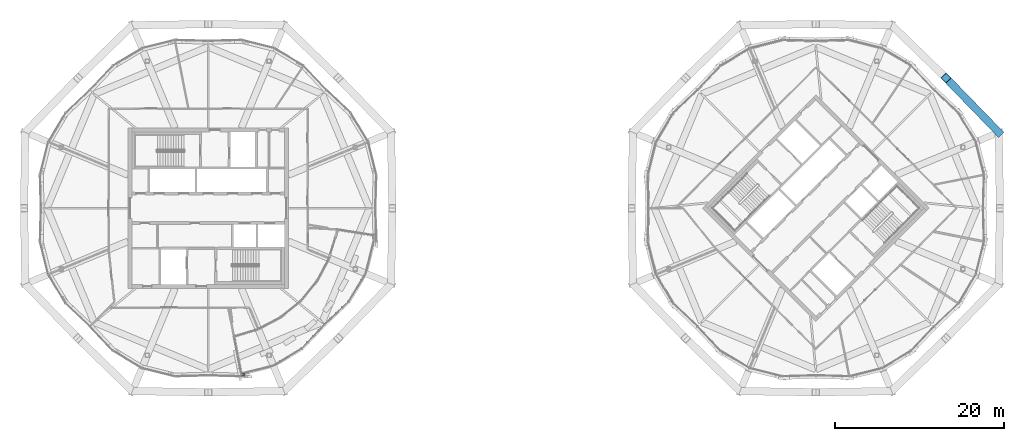
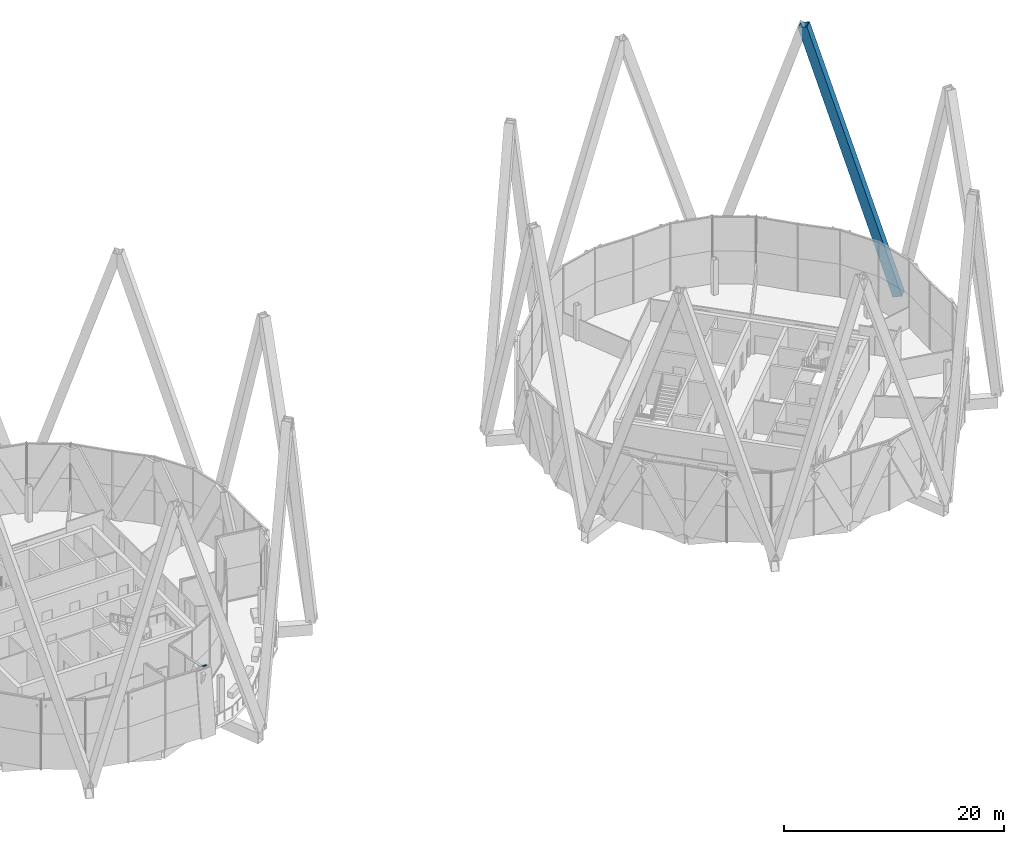
# One storey, part 38 of 53: 2 members, 1 element without a shape of its own.
"""IFC4 building model written with IfcOpenShell, lengths in metres."""

from ifc_helpers import new_model, si_unit, direction, frame, origin, origin_2d, place, context, subcontext, project, spatial, rectangle, hollow_rectangle, extrude, material, material_profile, profile_set, type_object, element, aggregate, save


model = new_model("IFC4")

# Units and contexts
model_context = context("Model", 3, precision=1e-05, world=origin(), true_north=direction((0.0, 1.0)))
body_context = subcontext(model_context, "Body", "Model", "MODEL_VIEW")
ifc_project = project(units=[si_unit("LENGTHUNIT", "METRE"), si_unit("AREAUNIT", "SQUARE_METRE"), si_unit("VOLUMEUNIT", "CUBIC_METRE"), si_unit("PLANEANGLEUNIT", "RADIAN"), si_unit("MASSUNIT", "GRAM", prefix="KILO")], contexts=[model_context])

# Site, building, storey
site_placement = place(None, origin())
site = spatial("IfcSite", under=ifc_project, at=site_placement, CompositionType="ELEMENT")
building_placement = place(site_placement, origin())
building = spatial("IfcBuilding", under=site, at=building_placement, Name="Ogive Gate Towers", CompositionType="ELEMENT")
storey_placement = place(building_placement, frame((0.0, 0.0, 240.60009765625)))
storey = spatial("IfcBuildingStorey", under=building, at=storey_placement, Name="L57", CompositionType="ELEMENT", Elevation=240.60009765625)

# Member
ifc_material_1 = material(Name="Steel SM460", Category="steel")
ifc_material_profile_1 = material_profile(ifc_material_1, hollow_rectangle(XDim=0.89990234375, YDim=0.89990234375, WallThickness=0.050048828125, at=origin_2d()), Name="BX 900x900x50")
ifc_profile_set_1 = profile_set([ifc_material_profile_1], Name="Steel SM460")
member_type_1 = type_object("IfcMemberType", Name="Diagrid diagonal BX 900x900x50", PredefinedType="BRACE", material=ifc_profile_set_1)
member_1_placement = place(storey_placement, frame((57.67431640625, 8.977783203125, 0.0), z_axis=(-0.211259451685, 0.217751746913, 0.952866003586), x_axis=(-0.717725362087, -0.696326291775, 0.0)))
element("IfcMember", 1, at=member_1_placement, inside=storey, type_object=member_type_1, Name="T2/L57/SDG002", PredefinedType="BRACE", context=body_context, shape_type="SweptSolid", body=[
    extrude(hollow_rectangle(XDim=0.89990234375, YDim=0.89990234375, WallThickness=0.050048828125, at=origin_2d()), origin(), (0.0, 0.0, 1.0), 29.594970703125),
])

# Curtain wall, member
ifc_material_2 = material(Name="Pale metal aluminium", Category="aluminium")
curtain_wall_type = type_object("IfcCurtainWallType", Name="Tower unitised wall, high zone", PredefinedType="NOTDEFINED", material=ifc_material_2)
curtain_wall_placement = place(storey_placement, origin())
curtain_wall = element("IfcCurtainWall", 2, at=curtain_wall_placement, inside=storey, type_object=curtain_wall_type, Name="CW2 T1 ECW09", PredefinedType="NOTDEFINED")
ifc_material_profile_2 = material_profile(ifc_material_2, rectangle(XDim=0.179931640625, YDim=0.10009765625, at=origin_2d()), Name="100 x 180 aluminium box")
ifc_profile_set_2 = profile_set([ifc_material_profile_2], Name="Pale metal aluminium")
member_type_2 = type_object("IfcMemberType", Name="Tower unitised wall, high zone transom 100 x 180", PredefinedType="USERDEFINED", material=ifc_profile_set_2)
member_2_placement = place(storey_placement, frame((-32.034423828125, -19.71240234375, 7.449951171875), z_axis=(0.999602629215, -0.028188360477, 0.0), x_axis=(0.028188360477, 0.999602629215, 0.0)))
member_2 = element("IfcMember", 3, at=member_2_placement, type_object=member_type_2, Name="CW2 transom", ObjectType="TRANSOM", PredefinedType="USERDEFINED", context=body_context, shape_type="SweptSolid", body=[
    extrude(rectangle(XDim=0.179931640625, YDim=0.10009765625, at=origin_2d()), origin(), (0.0, 0.0, 1.0), 0.450439453125),
])
aggregate(curtain_wall, [member_2])

save(model, "model.ifc")
